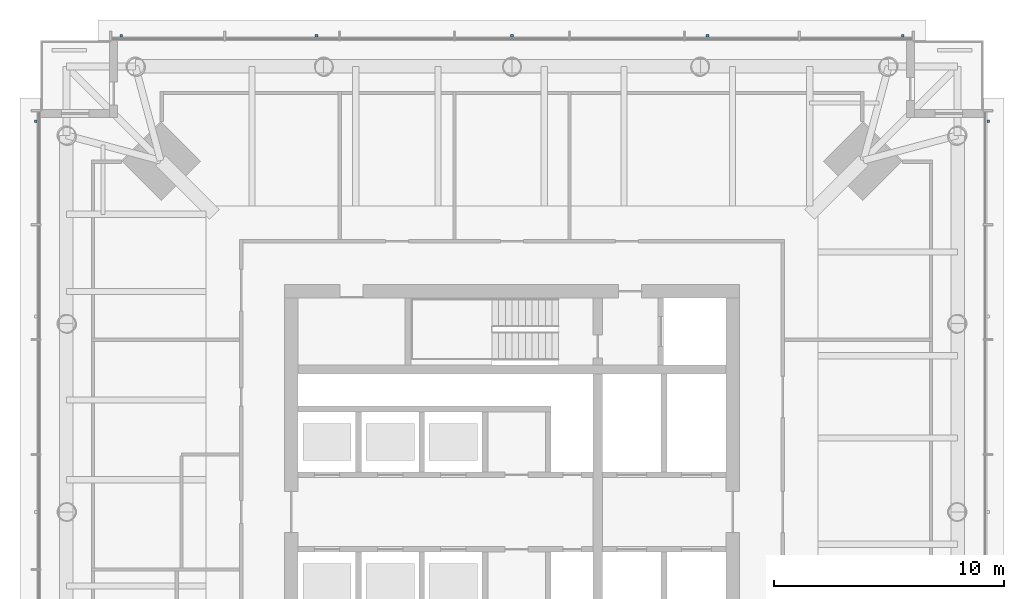
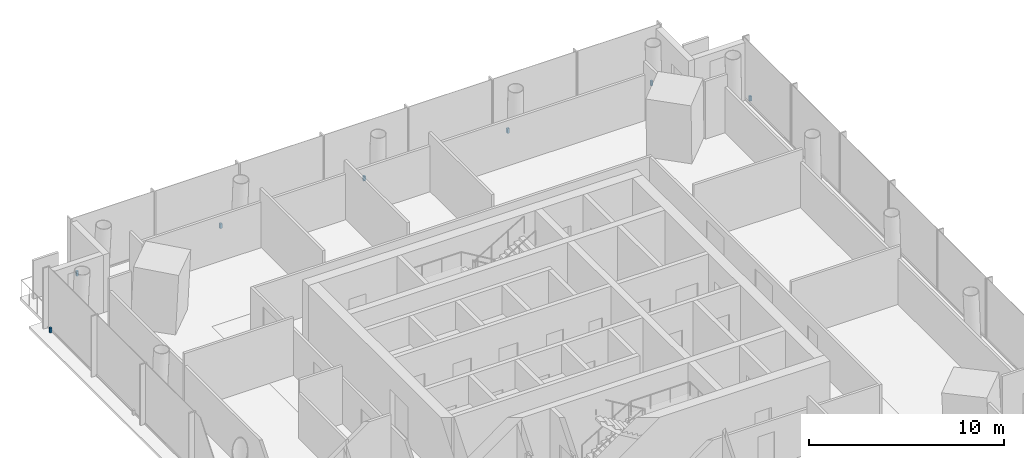
# One storey, part 9 of 12: 7 discrete accessories.
"""IFC4 building model written with IfcOpenShell, lengths in metres."""

from ifc_helpers import new_model, si_unit, direction, frame, origin, origin_2d, place, context, subcontext, project, spatial, rectangle, extrude, material, type_object, element, save


model = new_model("IFC4")

# Units and contexts
model_context = context("Model", 3, precision=1e-05, world=origin(), true_north=direction((0.0, 1.0)))
body_context = subcontext(model_context, "Body", "Model", "MODEL_VIEW")
ifc_project = project(units=[si_unit("LENGTHUNIT", "METRE"), si_unit("AREAUNIT", "SQUARE_METRE"), si_unit("VOLUMEUNIT", "CUBIC_METRE"), si_unit("PLANEANGLEUNIT", "RADIAN"), si_unit("MASSUNIT", "GRAM", prefix="KILO")], contexts=[model_context])

# Site, building, storey
site_placement = place(None, origin())
site = spatial("IfcSite", under=ifc_project, at=site_placement, CompositionType="ELEMENT")
building_placement = place(site_placement, origin())
building = spatial("IfcBuilding", under=site, at=building_placement, Name="Ostroluk Exchange", CompositionType="ELEMENT")
storey_placement = place(building_placement, frame((0.0, 0.0, 165.39990234375)))
storey = spatial("IfcBuildingStorey", under=building, at=storey_placement, Name="L42", CompositionType="ELEMENT", Elevation=165.39990234375)

# Discrete accessories
ifc_material = material(Name="Stainless steel", Category="steel")
discrete_accessory_type = type_object("IfcDiscreteAccessoryType", Name="Fall-arrest anchor PN-EN 795 type C", PredefinedType="USERDEFINED", material=ifc_material)
for number, where, z_axis, x_axis, name in (
    (1, (65.7099609375, 63.0, 0.0), (0.0, 0.0, 1.0), (1.0, 0.0, 0.0), "Fall-arrest anchor L42 east 5"),
    (2, (28.0, 66.7099609375, 0.0), (0.0, 0.0, 1.0), (1.0, 0.0, 0.0), "Fall-arrest anchor L42 north 1"),
    (3, (36.5, 66.7099609375, 0.0), (0.0, 0.0, 1.0), (1.0, 0.0, 0.0), "Fall-arrest anchor L42 north 2"),
    (4, (45.0, 66.7099609375, 0.0), (0.0, 0.0, 1.0), (1.0, 0.0, 0.0), "Fall-arrest anchor L42 north 3"),
    (5, (53.5, 66.7099609375, 0.0), (0.0, 0.0, 1.0), (1.0, 0.0, 0.0), "Fall-arrest anchor L42 north 4"),
    (6, (62.0, 66.7099609375, 0.0), (0.0, 0.0, 1.0), (1.0, 0.0, 0.0), "Fall-arrest anchor L42 north 5"),
    (7, (24.2900390625, 63.0, 0.0), (0.0, 0.0, 1.0), (1.0, 0.0, 0.0), "Fall-arrest anchor L42 west 5"),
):
    element("IfcDiscreteAccessory", number, at=place(storey_placement, frame(where, z_axis=z_axis, x_axis=x_axis)), inside=storey, type_object=discrete_accessory_type, Name=name, ObjectType="FALL ARREST ANCHOR", PredefinedType="USERDEFINED", context=body_context, shape_type="SweptSolid", body=[
        extrude(rectangle(XDim=0.1201171875, YDim=0.1201171875, at=origin_2d()), origin(), (0.0, 0.0, 1.0), 0.300048828125),
    ])

save(model, "model.ifc")
